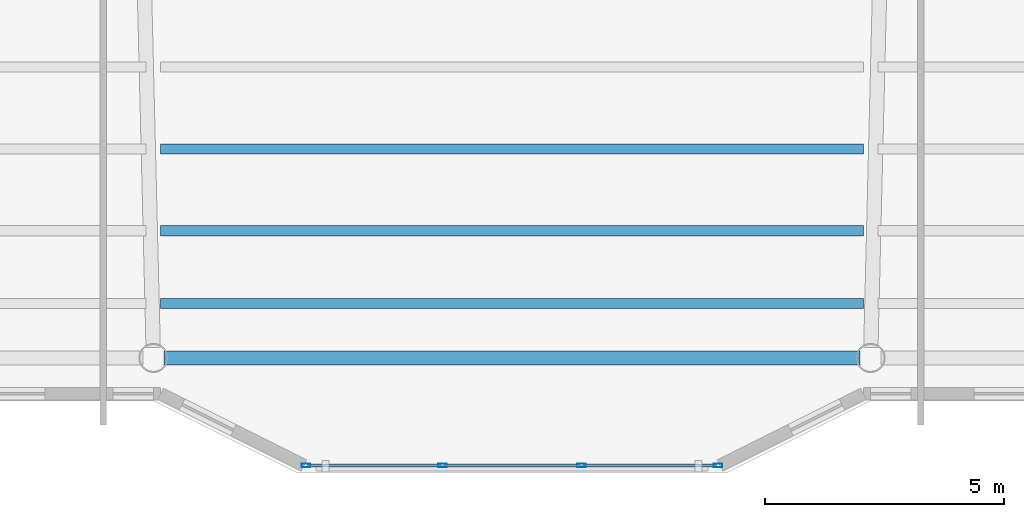
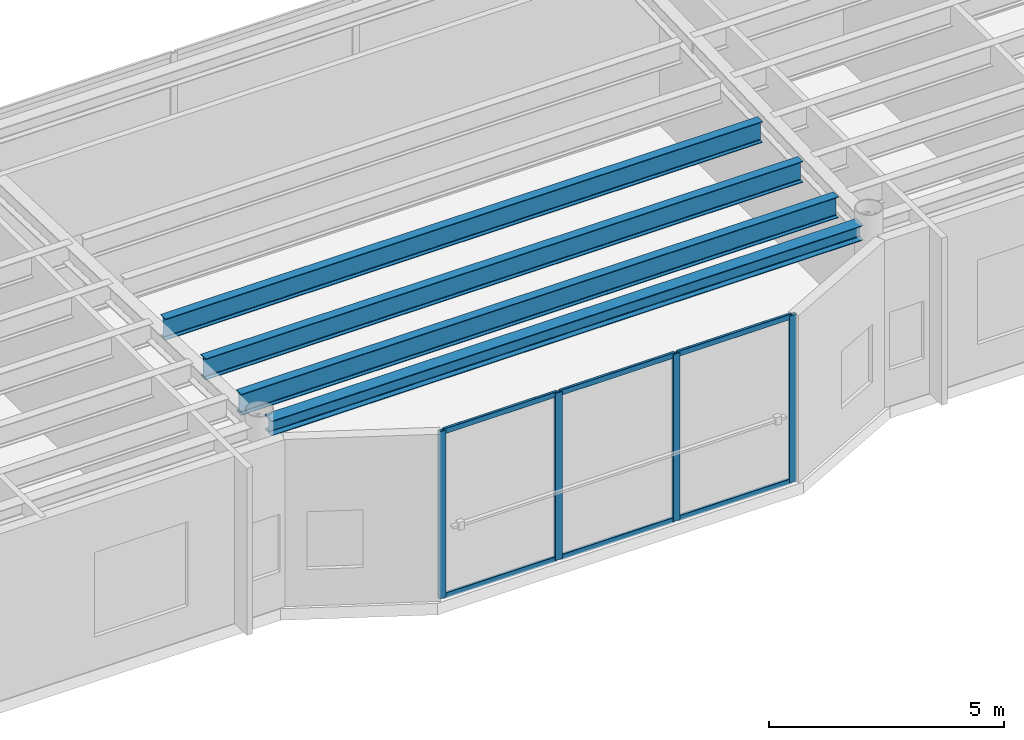
# One storey, part 2 of 23: 10 members, 4 beams, 1 element without a shape of its own.
"""IFC4 building model written with IfcOpenShell, lengths in metres."""

from ifc_helpers import new_model, si_unit, direction, frame, origin, origin_2d, place, context, subcontext, project, spatial, hollow_rectangle, i_section, extrude, material, layer, layer_set, material_profile, profile_set, type_object, element, aggregate, save


model = new_model("IFC4")

# Units and contexts
model_context = context("Model", 3, precision=1e-05, world=origin(), true_north=direction((0.0, 1.0)))
body_context = subcontext(model_context, "Body", "Model", "MODEL_VIEW")
ifc_project = project(units=[si_unit("LENGTHUNIT", "METRE"), si_unit("AREAUNIT", "SQUARE_METRE"), si_unit("VOLUMEUNIT", "CUBIC_METRE"), si_unit("PLANEANGLEUNIT", "RADIAN"), si_unit("MASSUNIT", "GRAM", prefix="KILO")], contexts=[model_context])

# Site, building, storey
site_placement = place(None, origin())
site = spatial("IfcSite", under=ifc_project, at=site_placement, CompositionType="ELEMENT")
building_placement = place(site_placement, origin())
building = spatial("IfcBuilding", under=site, at=building_placement, Name="Tarnavaz Court Tower", CompositionType="ELEMENT")
storey_placement = place(building_placement, frame((0.0, 0.0, 227.10009765625)))
storey = spatial("IfcBuildingStorey", under=building, at=storey_placement, Name="L62", CompositionType="ELEMENT", Elevation=227.10009765625)

# Beams
ifc_material_1 = material(Name="Steel S355", Category="steel")
ifc_material_profile_1 = material_profile(ifc_material_1, i_section(OverallWidth=0.2099609375, OverallDepth=0.550048828125, WebThickness=0.010986328125, FlangeThickness=0.01708984375, FilletRadius=0.02392578125, at=origin_2d()), Name="IPE 550")
ifc_profile_set_1 = profile_set([ifc_material_profile_1], Name="Steel S355")
beam_type_1 = type_object("IfcBeamType", Name="BM-J-IPE550", PredefinedType="JOIST", material=ifc_profile_set_1)
for number, where, z_axis, x_axis, name in (
    (1, (-7.35009765625, -15.72998046875, 4.074951171875), (1.0, 0.0, 0.0), (0.0, 1.0, 0.0), "L62 Beam JS3-2"),
    (2, (-7.35009765625, -17.43994140625, 4.074951171875), (1.0, 0.0, 0.0), (0.0, 1.0, 0.0), "L62 Beam JS4-2"),
    (3, (-7.35009765625, -18.9599609375, 4.074951171875), (1.0, 0.0, 0.0), (0.0, 1.0, 0.0), "L62 Beam JS5-2"),
):
    element("IfcBeam", number, at=place(storey_placement, frame(where, z_axis=z_axis, x_axis=x_axis)), inside=storey, type_object=beam_type_1, Name=name, PredefinedType="JOIST", context=body_context, shape_type="SweptSolid", body=[
        extrude(i_section(OverallWidth=0.2099609375, OverallDepth=0.550048828125, WebThickness=0.010986328125, FlangeThickness=0.01708984375, FilletRadius=0.02392578125, at=origin_2d()), origin(), (0.0, 0.0, 1.0), 14.7001953125),
    ])
ifc_material_profile_2 = material_profile(ifc_material_1, i_section(OverallWidth=0.300048828125, OverallDepth=0.389892578125, WebThickness=0.010986328125, FlangeThickness=0.01904296875, FilletRadius=0.027099609375, at=origin_2d()), Name="HEA 400")
ifc_profile_set_2 = profile_set([ifc_material_profile_2], Name="Steel S355")
beam_type_2 = type_object("IfcBeamType", Name="BM-SP-HEA400", PredefinedType="BEAM", material=ifc_profile_set_2)
beam_placement = place(storey_placement, frame((-7.280029296875, -20.10009765625, 4.15478515625), z_axis=(1.0, 0.0, 0.0), x_axis=(0.0, 1.0, 0.0)))
element("IfcBeam", 4, at=beam_placement, inside=storey, type_object=beam_type_2, Name="L62 Beam PR-PS-2-PS-3", PredefinedType="BEAM", context=body_context, shape_type="SweptSolid", body=[
    extrude(i_section(OverallWidth=0.300048828125, OverallDepth=0.389892578125, WebThickness=0.010986328125, FlangeThickness=0.01904296875, FilletRadius=0.027099609375, at=origin_2d()), origin(), (0.0, 0.0, 1.0), 14.56005859375),
])

# Curtain wall, members
ifc_material_2 = material(Name="Anodised Aluminium 6063-T6 and Solar Low-E Glazing", Category="aluminium")
ifc_layer = layer(ifc_material_2, 0.159912109375)
ifc_layer_set = layer_set([ifc_layer], Name="Anodised Aluminium 6063-T6 and Solar Low-E Glazing")
curtain_wall_type = type_object("IfcCurtainWallType", Name="CW-SYS-03", PredefinedType="NOTDEFINED", material=ifc_layer_set)
curtain_wall_placement = place(storey_placement, origin())
curtain_wall = element("IfcCurtainWall", 5, at=curtain_wall_placement, inside=storey, type_object=curtain_wall_type, Name="L62 Iwan Prow Curtain Wall 17", PredefinedType="NOTDEFINED")
ifc_material_3 = material(Name="Anodised Aluminium 6063-T6", Category="aluminium")
ifc_material_profile_3 = material_profile(ifc_material_3, hollow_rectangle(XDim=0.074951171875, YDim=0.179931640625, WallThickness=0.0048828125, InnerFilletRadius=0.0048828125, OuterFilletRadius=0.010009765625, at=origin_2d()), Name="ALU RHS 180X75X5")
ifc_profile_set_3 = profile_set([ifc_material_profile_3], Name="Anodised Aluminium 6063-T6")
member_type_1 = type_object("IfcMemberType", Name="CW-MUL-180", PredefinedType="MULLION", material=ifc_profile_set_3)
member_1_placement = place(storey_placement, frame((4.3125, -22.35009765625, 0.0), z_axis=(0.0, 0.0, 1.0), x_axis=(0.0, -1.0, 0.0)))
member_1 = element("IfcMember", 6, at=member_1_placement, type_object=member_type_1, Name="CW mullion 1", PredefinedType="MULLION", context=body_context, shape_type="SweptSolid", body=[
    extrude(hollow_rectangle(XDim=0.074951171875, YDim=0.179931640625, WallThickness=0.0048828125, InnerFilletRadius=0.0048828125, OuterFilletRadius=0.010009765625, at=origin_2d()), origin(), (0.0, 0.0, 1.0), 4.349853515625),
])
member_2_placement = place(storey_placement, frame((1.449951171875, -22.35009765625, 0.0), z_axis=(0.0, 0.0, 1.0), x_axis=(0.0, -1.0, 0.0)))
member_2 = element("IfcMember", 7, at=member_2_placement, type_object=member_type_1, Name="CW mullion 2", PredefinedType="MULLION", context=body_context, shape_type="SweptSolid", body=[
    extrude(hollow_rectangle(XDim=0.074951171875, YDim=0.179931640625, WallThickness=0.0048828125, InnerFilletRadius=0.0048828125, OuterFilletRadius=0.010009765625, at=origin_2d()), origin(), (0.0, 0.0, 1.0), 4.349853515625),
])
member_3_placement = place(storey_placement, frame((-1.449951171875, -22.35009765625, 0.0), z_axis=(0.0, 0.0, 1.0), x_axis=(0.0, -1.0, 0.0)))
member_3 = element("IfcMember", 8, at=member_3_placement, type_object=member_type_1, Name="CW mullion 3", PredefinedType="MULLION", context=body_context, shape_type="SweptSolid", body=[
    extrude(hollow_rectangle(XDim=0.074951171875, YDim=0.179931640625, WallThickness=0.0048828125, InnerFilletRadius=0.0048828125, OuterFilletRadius=0.010009765625, at=origin_2d()), origin(), (0.0, 0.0, 1.0), 4.349853515625),
])
member_4_placement = place(storey_placement, frame((-4.3125, -22.35009765625, 0.0), z_axis=(0.0, 0.0, 1.0), x_axis=(0.0, -1.0, 0.0)))
member_4 = element("IfcMember", 9, at=member_4_placement, type_object=member_type_1, Name="CW mullion 4", PredefinedType="MULLION", context=body_context, shape_type="SweptSolid", body=[
    extrude(hollow_rectangle(XDim=0.074951171875, YDim=0.179931640625, WallThickness=0.0048828125, InnerFilletRadius=0.0048828125, OuterFilletRadius=0.010009765625, at=origin_2d()), origin(), (0.0, 0.0, 1.0), 4.349853515625),
])
ifc_material_profile_4 = material_profile(ifc_material_3, hollow_rectangle(XDim=0.06494140625, YDim=0.139892578125, WallThickness=0.00390625, InnerFilletRadius=0.00390625, OuterFilletRadius=0.008056640625, at=origin_2d()), Name="ALU RHS 140X65X4")
ifc_profile_set_4 = profile_set([ifc_material_profile_4], Name="Anodised Aluminium 6063-T6")
member_type_2 = type_object("IfcMemberType", Name="CW-TRN-140", PredefinedType="USERDEFINED", material=ifc_profile_set_4)
member_5_placement = place(storey_placement, frame((4.27490234375, -22.35009765625, 0.032470703125), z_axis=(-1.0, 0.0, 0.0), x_axis=(0.0, -1.0, 0.0)))
member_5 = element("IfcMember", 10, at=member_5_placement, type_object=member_type_2, Name="CW transom 1.1", ObjectType="TRANSOM", PredefinedType="USERDEFINED", context=body_context, shape_type="SweptSolid", body=[
    extrude(hollow_rectangle(XDim=0.06494140625, YDim=0.139892578125, WallThickness=0.00390625, InnerFilletRadius=0.00390625, OuterFilletRadius=0.008056640625, at=origin_2d()), origin(), (0.0, 0.0, 1.0), 2.787353515625),
])
member_6_placement = place(storey_placement, frame((4.27490234375, -22.35009765625, 4.3173828125), z_axis=(-1.0, 0.0, 0.0), x_axis=(0.0, -1.0, 0.0)))
member_6 = element("IfcMember", 11, at=member_6_placement, type_object=member_type_2, Name="CW transom 1.2", ObjectType="TRANSOM", PredefinedType="USERDEFINED", context=body_context, shape_type="SweptSolid", body=[
    extrude(hollow_rectangle(XDim=0.06494140625, YDim=0.139892578125, WallThickness=0.00390625, InnerFilletRadius=0.00390625, OuterFilletRadius=0.008056640625, at=origin_2d()), origin(), (0.0, 0.0, 1.0), 2.787353515625),
])
member_7_placement = place(storey_placement, frame((1.41259765625, -22.35009765625, 0.032470703125), z_axis=(-1.0, 0.0, 0.0), x_axis=(0.0, -1.0, 0.0)))
member_7 = element("IfcMember", 12, at=member_7_placement, type_object=member_type_2, Name="CW transom 2.1", ObjectType="TRANSOM", PredefinedType="USERDEFINED", context=body_context, shape_type="SweptSolid", body=[
    extrude(hollow_rectangle(XDim=0.06494140625, YDim=0.139892578125, WallThickness=0.00390625, InnerFilletRadius=0.00390625, OuterFilletRadius=0.008056640625, at=origin_2d()), origin(), (0.0, 0.0, 1.0), 2.8251953125),
])
member_8_placement = place(storey_placement, frame((1.41259765625, -22.35009765625, 4.3173828125), z_axis=(-1.0, 0.0, 0.0), x_axis=(0.0, -1.0, 0.0)))
member_8 = element("IfcMember", 13, at=member_8_placement, type_object=member_type_2, Name="CW transom 2.2", ObjectType="TRANSOM", PredefinedType="USERDEFINED", context=body_context, shape_type="SweptSolid", body=[
    extrude(hollow_rectangle(XDim=0.06494140625, YDim=0.139892578125, WallThickness=0.00390625, InnerFilletRadius=0.00390625, OuterFilletRadius=0.008056640625, at=origin_2d()), origin(), (0.0, 0.0, 1.0), 2.8251953125),
])
member_9_placement = place(storey_placement, frame((-1.487548828125, -22.35009765625, 0.032470703125), z_axis=(-1.0, 0.0, 0.0), x_axis=(0.0, -1.0, 0.0)))
member_9 = element("IfcMember", 14, at=member_9_placement, type_object=member_type_2, Name="CW transom 3.1", ObjectType="TRANSOM", PredefinedType="USERDEFINED", context=body_context, shape_type="SweptSolid", body=[
    extrude(hollow_rectangle(XDim=0.06494140625, YDim=0.139892578125, WallThickness=0.00390625, InnerFilletRadius=0.00390625, OuterFilletRadius=0.008056640625, at=origin_2d()), origin(), (0.0, 0.0, 1.0), 2.787353515625),
])
member_10_placement = place(storey_placement, frame((-1.487548828125, -22.35009765625, 4.3173828125), z_axis=(-1.0, 0.0, 0.0), x_axis=(0.0, -1.0, 0.0)))
member_10 = element("IfcMember", 15, at=member_10_placement, type_object=member_type_2, Name="CW transom 3.2", ObjectType="TRANSOM", PredefinedType="USERDEFINED", context=body_context, shape_type="SweptSolid", body=[
    extrude(hollow_rectangle(XDim=0.06494140625, YDim=0.139892578125, WallThickness=0.00390625, InnerFilletRadius=0.00390625, OuterFilletRadius=0.008056640625, at=origin_2d()), origin(), (0.0, 0.0, 1.0), 2.787353515625),
])
aggregate(curtain_wall, [member_1, member_2, member_3, member_4, member_5, member_6, member_7, member_8, member_9, member_10])

save(model, "model.ifc")
